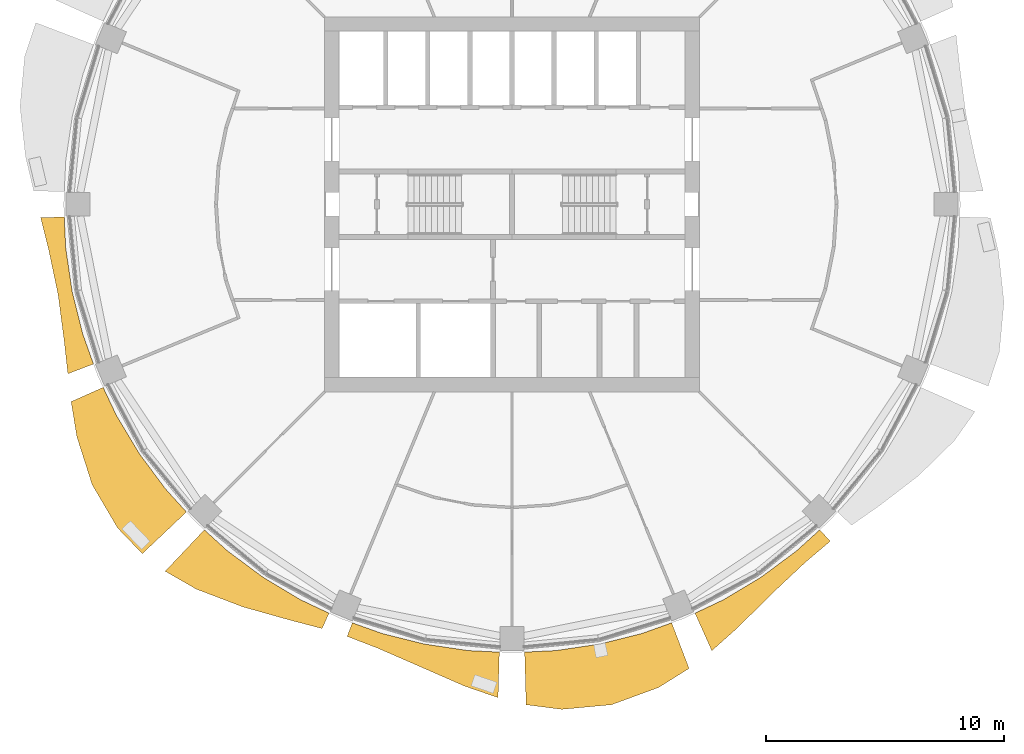
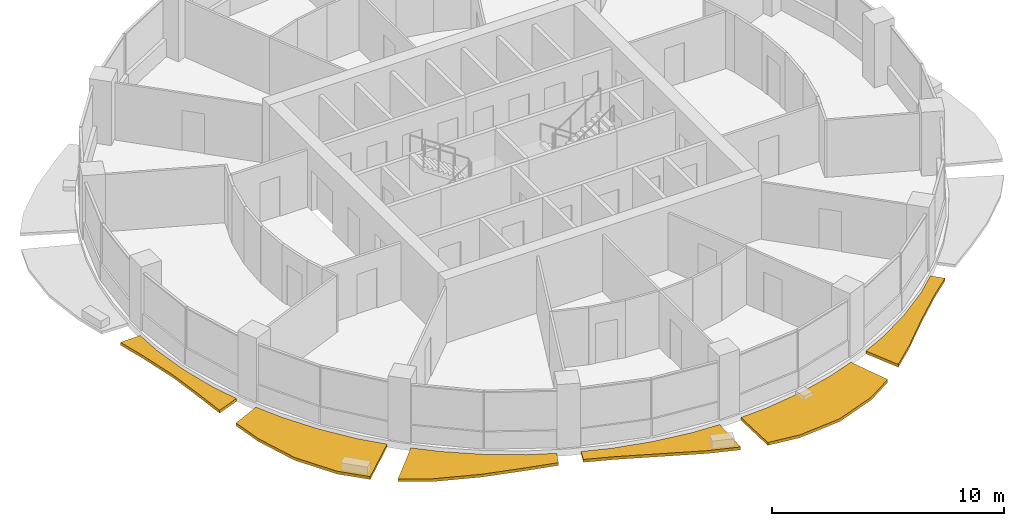
# One storey, part 12 of 15: 6 shading devices.
"""IFC4 building model written with IfcOpenShell, lengths in metres."""

from ifc_helpers import new_model, si_unit, direction, frame, origin, place, context, subcontext, project, spatial, polyline, outline, extrude, material, type_object, element, save


model = new_model("IFC4")

# Units and contexts
model_context = context("Model", 3, precision=1e-05, world=origin(), true_north=direction((0.0, 1.0)))
body_context = subcontext(model_context, "Body", "Model", "MODEL_VIEW")
ifc_project = project(units=[si_unit("LENGTHUNIT", "METRE"), si_unit("AREAUNIT", "SQUARE_METRE"), si_unit("VOLUMEUNIT", "CUBIC_METRE"), si_unit("PLANEANGLEUNIT", "RADIAN"), si_unit("MASSUNIT", "GRAM", prefix="KILO")], contexts=[model_context])

# Site, building, storey
site_placement = place(None, origin())
site = spatial("IfcSite", under=ifc_project, at=site_placement, CompositionType="ELEMENT")
building_placement = place(site_placement, origin())
building = spatial("IfcBuilding", under=site, at=building_placement, Name="Polderwave Tower", CompositionType="ELEMENT")
storey_placement = place(building_placement, frame((0.0, 0.0, 154.449951171875)))
storey = spatial("IfcBuildingStorey", under=building, at=storey_placement, Name="L41", CompositionType="ELEMENT", Elevation=154.449951171875)

# Shading devices
ifc_material = material(Name="Terracotta", Category="masonry")
shading_device_type = type_object("IfcShadingDeviceType", Name="Terracotta sunshade band", PredefinedType="USERDEFINED", material=ifc_material)
shading_device_1_placement = place(storey_placement, frame((0.0, 0.0, -0.349853515625)))
element("IfcShadingDevice", 1, at=shading_device_1_placement, inside=storey, type_object=shading_device_type, Name="Sunshade band L41 9", ObjectType="SUNSHADE", PredefinedType="USERDEFINED", context=body_context, shape_type="SweptSolid", body=[
    extrude(outline(polyline([(-18.803955078125, -0.5302734375), (-18.7392578125, -1.845703125), (-18.46826171875, -3.673583984375), (-18.019287109375, -5.466064453125), (-17.575439453125, -6.7060546875), (-18.65087890625, -7.116455078125), (-18.809326171875, -5.705810546875), (-19.061279296875, -3.79150390625), (-19.454833984375, -1.916015625), (-19.7919921875, -0.55810546875), (-18.803955078125, -0.5302734375)])), origin(), (0.0, 0.0, 1.0), 0.14990234375),
])
shading_device_2_placement = place(storey_placement, frame((0.0, 0.0, -0.349853515625)))
element("IfcShadingDevice", 2, at=shading_device_2_placement, inside=storey, type_object=shading_device_type, Name="Sunshade band L41 10", ObjectType="SUNSHADE", PredefinedType="USERDEFINED", context=body_context, shape_type="SweptSolid", body=[
    extrude(outline(polyline([(-17.169677734375, -7.685791015625), (-16.606689453125, -8.87646484375), (-15.656494140625, -10.46142578125), (-14.555908203125, -11.945556640625), (-13.67138671875, -12.92138671875), (-15.524169921875, -14.672607421875), (-16.561767578125, -13.591796875), (-17.628662109375, -11.779052734375), (-18.27197265625, -9.7666015625), (-18.51416015625, -8.28759765625), (-17.169677734375, -7.685791015625)])), origin(), (0.0, 0.0, 1.0), 0.14990234375),
])
shading_device_3_placement = place(storey_placement, frame((0.0, 0.0, -0.349853515625)))
element("IfcShadingDevice", 3, at=shading_device_3_placement, inside=storey, type_object=shading_device_type, Name="Sunshade band L41 11", ObjectType="SUNSHADE", PredefinedType="USERDEFINED", context=body_context, shape_type="SweptSolid", body=[
    extrude(outline(polyline([(-12.92138671875, -13.67138671875), (-11.945556640625, -14.555908203125), (-10.46142578125, -15.656494140625), (-8.87646484375, -16.606689453125), (-7.685791015625, -17.169677734375), (-7.974609375, -17.814453125), (-9.332275390625, -17.45947265625), (-11.296875, -16.906982421875), (-13.2607421875, -16.158203125), (-14.56396484375, -15.4091796875), (-12.92138671875, -13.67138671875)])), origin(), (0.0, 0.0, 1.0), 0.14990234375),
])
shading_device_4_placement = place(storey_placement, frame((0.0, 0.0, -0.349853515625)))
element("IfcShadingDevice", 4, at=shading_device_4_placement, inside=storey, type_object=shading_device_type, Name="Sunshade band L41 12", ObjectType="SUNSHADE", PredefinedType="USERDEFINED", context=body_context, shape_type="SweptSolid", body=[
    extrude(outline(polyline([(-6.7060546875, -17.575439453125), (-5.466064453125, -18.019287109375), (-3.673583984375, -18.46826171875), (-1.845703125, -18.7392578125), (-0.5302734375, -18.803955078125), (-0.584228515625, -20.717529296875), (-1.99267578125, -20.232177734375), (-3.861572265625, -19.413818359375), (-5.652587890625, -18.634033203125), (-6.9228515625, -18.143798828125), (-6.7060546875, -17.575439453125)])), origin(), (0.0, 0.0, 1.0), 0.14990234375),
])
shading_device_5_placement = place(storey_placement, frame((0.0, 0.0, -0.349853515625)))
element("IfcShadingDevice", 5, at=shading_device_5_placement, inside=storey, type_object=shading_device_type, Name="Sunshade band L41 13", ObjectType="SUNSHADE", PredefinedType="USERDEFINED", context=body_context, shape_type="SweptSolid", body=[
    extrude(outline(polyline([(0.5302734375, -18.803955078125), (1.845703125, -18.7392578125), (3.673583984375, -18.46826171875), (5.466064453125, -18.019287109375), (6.7060546875, -17.575439453125), (7.4365234375, -19.489990234375), (6.1552734375, -20.291259765625), (4.179931640625, -21.013671875), (2.0888671875, -21.20849609375), (0.592529296875, -21.0146484375), (0.5302734375, -18.803955078125)])), origin(), (0.0, 0.0, 1.0), 0.14990234375),
])
shading_device_6_placement = place(storey_placement, frame((0.0, 0.0, -0.349853515625)))
element("IfcShadingDevice", 6, at=shading_device_6_placement, inside=storey, type_object=shading_device_type, Name="Sunshade band L41 14", ObjectType="SUNSHADE", PredefinedType="USERDEFINED", context=body_context, shape_type="SweptSolid", body=[
    extrude(outline(polyline([(7.685791015625, -17.169677734375), (8.87646484375, -16.606689453125), (10.46142578125, -15.656494140625), (11.945556640625, -14.555908203125), (12.92138671875, -13.67138671875), (13.368408203125, -14.144287109375), (12.329345703125, -15.0234375), (10.92138671875, -16.34521484375), (9.49462890625, -17.76318359375), (8.3916015625, -18.745849609375), (7.685791015625, -17.169677734375)])), origin(), (0.0, 0.0, 1.0), 0.14990234375),
])

save(model, "model.ifc")
